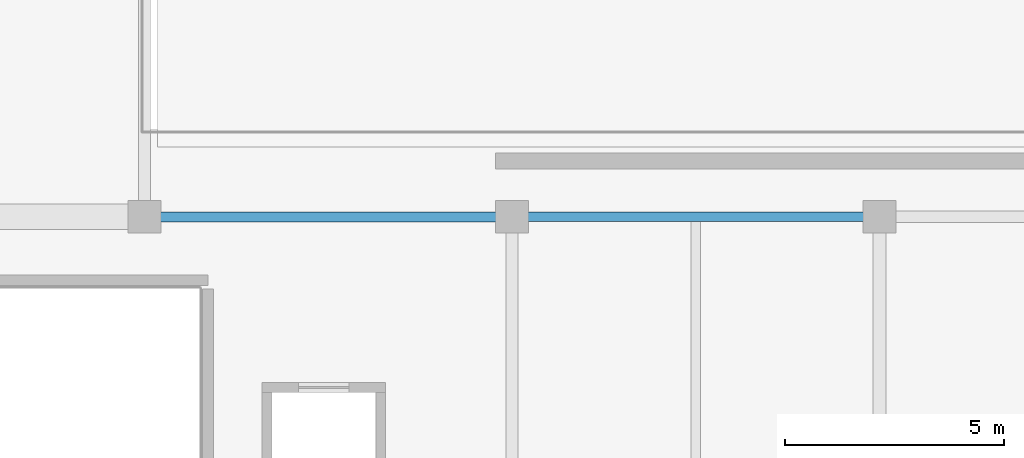
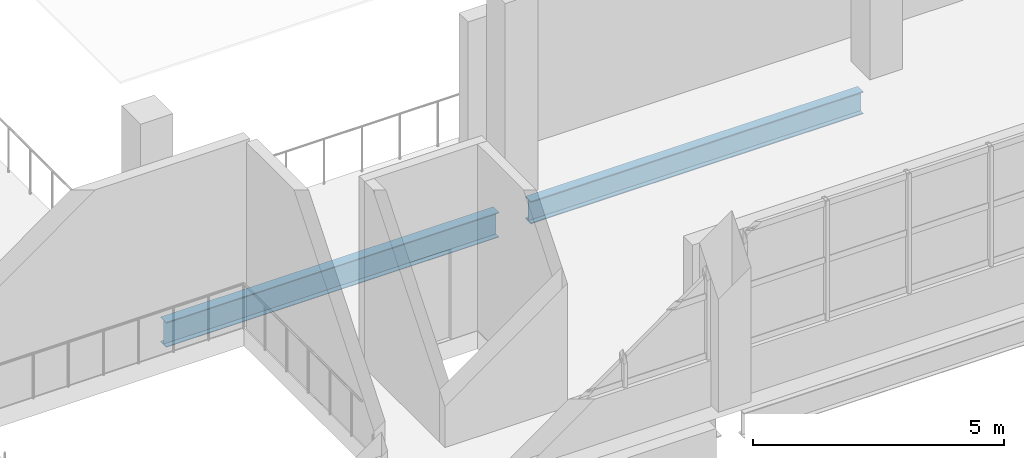
# One storey, part 31 of 77: 2 beams.
"""IFC4 building model written with IfcOpenShell, lengths in metres."""

import ifcopenshell
import ifcopenshell.guid

model = None  # the IFC model being written
_history = None  # IfcOwnerHistory: only IFC2X3 demands one
_inside = {}  # id of a spatial element -> (the spatial element, [elements in it])
_under = {}  # id of a project, library or spatial element -> (it, [spatial elements below it])
_declared = {}  # id of a project -> (the project, [libraries it declares])
_typed = {}  # id of a type object -> (the type object, [elements of that type])
_made_of = {}  # id of a material, layer set ... -> (it, [elements and type objects made of it])


def new_model(schema):
    """Start an empty IFC model of exactly this schema.

    Asked for "IFC4X3", IfcOpenShell would pick the latest addendum, in which some entities
    have other attributes; the version numbers below select the first issue.
    IFC2X3 requires an IfcOwnerHistory on every rooted entity: one is made here for all.
    """
    global model, _history
    if schema == "IFC4X3":
        model = ifcopenshell.file(schema_version=(4, 3, 0, 0))
    else:
        model = ifcopenshell.file(schema=schema)
    _inside.clear()
    _under.clear()
    _declared.clear()
    _typed.clear()
    _made_of.clear()
    _history = None
    if model.schema == "IFC2X3":
        org = make("IfcOrganization", Name="unknown")
        user = make(
            "IfcPersonAndOrganization",
            ThePerson=make("IfcPerson", FamilyName="unknown"),
            TheOrganization=org,
        )
        app = make(
            "IfcApplication",
            ApplicationDeveloper=org,
            Version="unknown",
            ApplicationFullName="unknown",
            ApplicationIdentifier="unknown",
        )
        _history = make(
            "IfcOwnerHistory",
            OwningUser=user,
            OwningApplication=app,
            ChangeAction="ADDED",
            CreationDate=0,
        )
    return model


def make(cls, **values):
    """One entity of the class cls with the attributes given. An attribute that is None is left unset."""
    return model.create_entity(
        cls, **{name: value for name, value in values.items() if value is not None}
    )


def rooted(cls, **values):
    """An entity with a GlobalId (a new one), such as an element, a storey or a relation."""
    return make(cls, GlobalId=ifcopenshell.guid.new(), OwnerHistory=_history, **values)


def si_unit(unit_type, name, prefix=None):
    """IfcSIUnit, for example si_unit("LENGTHUNIT", "METRE", prefix="MILLI")."""
    return make("IfcSIUnit", UnitType=unit_type, Prefix=prefix, Name=name)


def assignment(units):
    """IfcUnitAssignment: the units of a project."""
    return None if units is None else make("IfcUnitAssignment", Units=units)


def point(xyz):
    """IfcCartesianPoint."""
    return None if xyz is None else make("IfcCartesianPoint", Coordinates=xyz)


def direction(xyz):
    """IfcDirection."""
    return None if xyz is None else make("IfcDirection", DirectionRatios=xyz)


def frame(location, z_axis=None, x_axis=None):
    """IfcAxis2Placement3D, a coordinate frame: its origin and axes. An axis left out is left unset."""
    return make(
        "IfcAxis2Placement3D",
        Location=point(location),
        Axis=direction(z_axis),
        RefDirection=direction(x_axis),
    )


def frame_2d(location, x_axis=None):
    """IfcAxis2Placement2D, a coordinate frame in the plane: its origin and x axis."""
    return make(
        "IfcAxis2Placement2D", Location=point(location), RefDirection=direction(x_axis)
    )


def origin():
    """The frame at (0, 0, 0) with its axes left unset."""
    return frame((0.0, 0.0, 0.0))


def origin_2d():
    """The frame at (0, 0) in the plane with its x axis left unset."""
    return frame_2d((0.0, 0.0))


def place(relative_to, where):
    """IfcLocalPlacement: puts the frame where relative to a parent placement (None: the world)."""
    return make(
        "IfcLocalPlacement", PlacementRelTo=relative_to, RelativePlacement=where
    )


def context(
    kind, dimensions, precision=None, world=None, true_north=None, identifier=None
):
    """IfcGeometricRepresentationContext, for example the 3D "Model" context."""
    return make(
        "IfcGeometricRepresentationContext",
        ContextIdentifier=identifier,
        ContextType=kind,
        CoordinateSpaceDimension=dimensions,
        Precision=precision,
        WorldCoordinateSystem=world,
        TrueNorth=true_north,
    )


def subcontext(parent, identifier, kind, view, scale=None):
    """IfcGeometricRepresentationSubContext, for example "Body" below "Model"."""
    return make(
        "IfcGeometricRepresentationSubContext",
        ContextIdentifier=identifier,
        ContextType=kind,
        ParentContext=parent,
        TargetScale=scale,
        TargetView=view,
    )


def project(units=None, contexts=None):
    """IfcProject with its units and contexts."""
    return rooted(
        "IfcProject",
        Name="project",
        RepresentationContexts=contexts,
        UnitsInContext=assignment(units),
    )


def spatial(cls, under=None, at=None, **own):
    """A site, building, storey or space (cls), placed at a placement, below another one or the project."""
    s = rooted(cls, ObjectPlacement=at, **own)
    if under is not None:
        _under.setdefault(under.id(), (under, []))[1].append(s)
    return s


def profile(cls, at=None, kind="AREA", **sizes):
    """A parametric profile (cls). Its sizes go by their IFC names, for example OverallWidth=200.0."""
    return make(cls, ProfileType=kind, Position=at, **sizes)


def i_section(**sizes):
    """IfcIShapeProfileDef."""
    return profile("IfcIShapeProfileDef", **sizes)


def extrude(swept, where, along, depth):
    """IfcExtrudedAreaSolid: the profile swept, set in the frame where, extruded along a direction by depth."""
    return make(
        "IfcExtrudedAreaSolid",
        SweptArea=swept,
        Position=where,
        ExtrudedDirection=direction(along),
        Depth=depth,
    )


def shape(context_of_items, identifier, shape_type, items):
    """IfcShapeRepresentation: the items that make up one representation, for example the "Body"."""
    return make(
        "IfcShapeRepresentation",
        ContextOfItems=context_of_items,
        RepresentationIdentifier=identifier,
        RepresentationType=shape_type,
        Items=items,
    )


def material(Name=None, Category=None):
    """IfcMaterial."""
    return make("IfcMaterial", Name=Name, Category=Category)


def material_profile(
    of_material, cross_section, Name=None, Category=None, Priority=None
):
    """IfcMaterialProfile: a cross section and its material."""
    return make(
        "IfcMaterialProfile",
        Name=Name,
        Material=of_material,
        Profile=cross_section,
        Priority=Priority,
        Category=Category,
    )


def profile_set(profiles, Name=None, composite=None):
    """IfcMaterialProfileSet."""
    return make(
        "IfcMaterialProfileSet",
        Name=Name,
        MaterialProfiles=profiles,
        CompositeProfile=composite,
    )


def made_of(thing, what):
    """Note that an element or type object is made of a material, layer set ...; save() writes the relation."""
    if what is not None:
        _made_of.setdefault(what.id(), (what, []))[1].append(thing)
    return thing


def type_object(cls, material=None, **own):
    """A type object (cls), such as IfcWallType, which elements share."""
    return made_of(rooted(cls, **own), material)


def element(
    cls,
    number,
    at=None,
    inside=None,
    cuts=None,
    type_object=None,
    material=None,
    context=None,
    identifier="Body",
    shape_type=None,
    held_by="IfcProductDefinitionShape",
    body=None,
    shapes=None,
    **own,
):
    """One element of the class cls, such as IfcWall. Its Tag is "e" and its number.

    at: its placement. inside: the storey or other place that contains it. cuts: it is an
    opening in that element (IfcRelVoidsElement). A single representation is given by context,
    identifier, shape_type and body (its items); several are given by shapes. held_by: the class
    of the entity that holds the representations. save() writes the other relations.
    """
    e = rooted(cls, Tag="e%d" % number, ObjectPlacement=at, **own)
    if body is not None:
        shapes = [shape(context, identifier, shape_type, body)]
    if shapes is not None:
        e.Representation = make(held_by, Representations=shapes)
    if inside is not None:
        _inside.setdefault(inside.id(), (inside, []))[1].append(e)
    if cuts is not None:
        rooted(
            "IfcRelVoidsElement", RelatingBuildingElement=cuts, RelatedOpeningElement=e
        )
    if type_object is not None:
        _typed.setdefault(type_object.id(), (type_object, []))[1].append(e)
    return made_of(e, material)


def aggregate(whole, parts):
    """IfcRelAggregates: a whole, such as a stair, and the parts it consists of."""
    return rooted("IfcRelAggregates", RelatingObject=whole, RelatedObjects=parts)


def save(model, path):
    """Write the relations noted so far, then the file.

    IfcRelAggregates (storeys below a building ...), IfcRelContainedInSpatialStructure (elements
    in a storey), IfcRelDefinesByType, IfcRelAssociatesMaterial and IfcRelDeclares: one each for
    every whole, place, type object, material and project.
    """
    for whole, parts in _under.values():
        aggregate(whole, parts)
    for where, things in _inside.values():
        rooted(
            "IfcRelContainedInSpatialStructure",
            RelatedElements=things,
            RelatingStructure=where,
        )
    for kind, things in _typed.values():
        rooted("IfcRelDefinesByType", RelatedObjects=things, RelatingType=kind)
    for what, things in _made_of.values():
        rooted("IfcRelAssociatesMaterial", RelatedObjects=things, RelatingMaterial=what)
    for by, libraries in _declared.values():
        rooted("IfcRelDeclares", RelatingContext=by, RelatedDefinitions=libraries)
    model.write(path)


model = new_model("IFC4")

# Units and contexts
model_context = context("Model", 3, precision=1e-05, world=origin(), true_north=direction((0.0, 1.0)))
body_context = subcontext(model_context, "Body", "Model", "MODEL_VIEW")
ifc_project = project(units=[si_unit("LENGTHUNIT", "METRE"), si_unit("AREAUNIT", "SQUARE_METRE"), si_unit("VOLUMEUNIT", "CUBIC_METRE"), si_unit("PLANEANGLEUNIT", "RADIAN"), si_unit("MASSUNIT", "GRAM", prefix="KILO")], contexts=[model_context])

# Site, building, storey
site_placement = place(None, origin())
site = spatial("IfcSite", under=ifc_project, at=site_placement, CompositionType="ELEMENT")
building_placement = place(site_placement, origin())
building = spatial("IfcBuilding", under=site, at=building_placement, Name="Solvento Point Concert Hall", CompositionType="ELEMENT")
storey_placement = place(building_placement, frame((0.0, 0.0, 10.199951171875)))
storey = spatial("IfcBuildingStorey", under=building, at=storey_placement, Name="L02", CompositionType="ELEMENT", Elevation=10.199951171875)

# Beams
ifc_material_1 = material(Name="Structural Steel ASTM A992 Grade 50", Category="steel")
ifc_material_profile_1 = material_profile(ifc_material_1, i_section(OverallWidth=0.214111328125, OverallDepth=0.549072265625, WebThickness=0.0146484375, FlangeThickness=0.023681640625, at=origin_2d()), Name="W21X93")
ifc_profile_set_1 = profile_set([ifc_material_profile_1], Name="Structural Steel ASTM A992 Grade 50")
beam_type_1 = type_object("IfcBeamType", Name="Beam_W21X93", PredefinedType="BEAM", material=ifc_profile_set_1)
beam_1_placement = place(storey_placement, frame((167.1689453125, 8.5, -0.718505859375), z_axis=(1.0, 0.0, 0.0), x_axis=(0.0, 1.0, 0.0)))
element("IfcBeam", 1, at=beam_1_placement, inside=storey, type_object=beam_type_1, Name="Primary girder B-48 L02", PredefinedType="BEAM", context=body_context, shape_type="SweptSolid", body=[
    extrude(i_section(OverallWidth=0.214111328125, OverallDepth=0.549072265625, WebThickness=0.0146484375, FlangeThickness=0.023681640625, at=origin_2d()), origin(), (0.0, 0.0, 1.0), 7.662109375),
])
ifc_material_2 = material(Name="Structural Steel ASTM A992 Grade 50", Category="steel")
ifc_material_profile_2 = material_profile(ifc_material_2, i_section(OverallWidth=0.228515625, OverallDepth=0.60791015625, WebThickness=0.01123046875, FlangeThickness=0.017333984375, at=origin_2d()), Name="W24X76")
ifc_profile_set_2 = profile_set([ifc_material_profile_2], Name="Structural Steel ASTM A992 Grade 50")
beam_type_2 = type_object("IfcBeamType", Name="Beam_W24X76", PredefinedType="BEAM", material=ifc_profile_set_2)
beam_2_placement = place(storey_placement, frame((158.76904296875, 8.5, -0.748046875), z_axis=(1.0, 0.0, 0.0), x_axis=(0.0, 1.0, 0.0)))
element("IfcBeam", 2, at=beam_2_placement, inside=storey, type_object=beam_type_2, Name="Primary girder B-42 L02", PredefinedType="BEAM", context=body_context, shape_type="SweptSolid", body=[
    extrude(i_section(OverallWidth=0.228515625, OverallDepth=0.60791015625, WebThickness=0.01123046875, FlangeThickness=0.017333984375, at=origin_2d()), origin(), (0.0, 0.0, 1.0), 7.661865234375),
])

save(model, "model.ifc")
